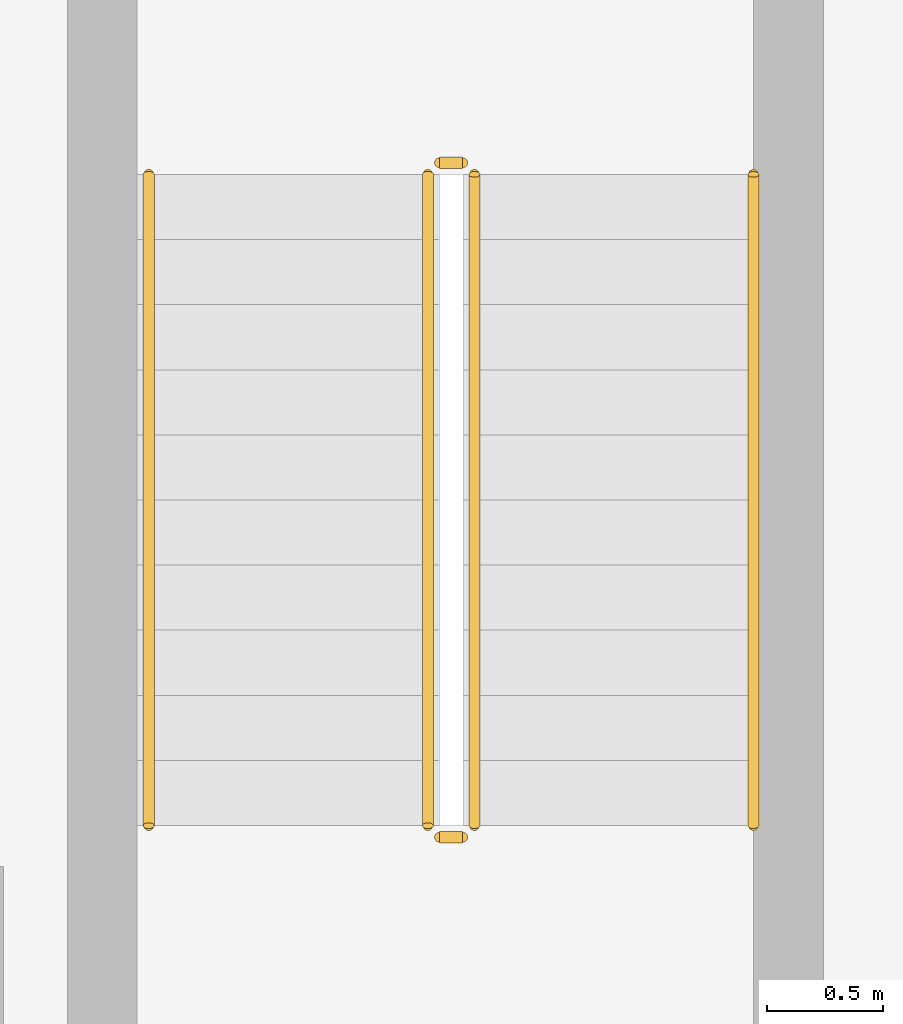
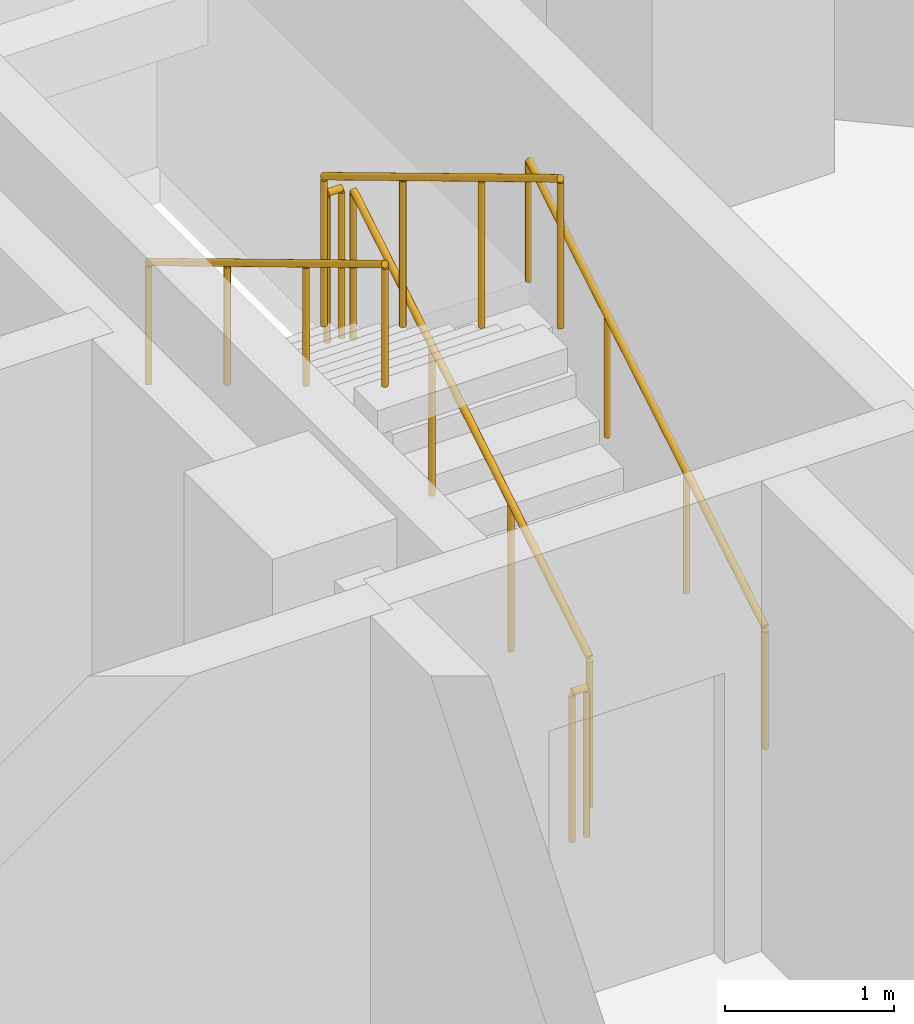
# One storey, part 34 of 35: 6 railings.
"""IFC4 building model written with IfcOpenShell, lengths in metres."""

from ifc_helpers import new_model, si_unit, direction, frame, origin, origin_2d, place, context, subcontext, project, spatial, circle, extrude, material, type_object, element, save


model = new_model("IFC4")

# Units and contexts
model_context = context("Model", 3, precision=1e-05, world=origin(), true_north=direction((0.0, 1.0)))
body_context = subcontext(model_context, "Body", "Model", "MODEL_VIEW")
ifc_project = project(units=[si_unit("LENGTHUNIT", "METRE"), si_unit("AREAUNIT", "SQUARE_METRE"), si_unit("VOLUMEUNIT", "CUBIC_METRE"), si_unit("PLANEANGLEUNIT", "RADIAN"), si_unit("MASSUNIT", "GRAM", prefix="KILO")], contexts=[model_context])

# Site, building, storey
site_placement = place(None, origin())
site = spatial("IfcSite", under=ifc_project, at=site_placement, CompositionType="ELEMENT")
building_placement = place(site_placement, origin())
building = spatial("IfcBuilding", under=site, at=building_placement, Name="Ogive Portal Towers", CompositionType="ELEMENT")
storey_placement = place(building_placement, frame((0.0, 0.0, 90.800048828125)))
storey = spatial("IfcBuildingStorey", under=building, at=storey_placement, Name="L21", CompositionType="ELEMENT", Elevation=90.800048828125)

# Railings
ifc_material_1 = material(Name="Stainless steel balustrade", Category="steel")
railing_type_1 = type_object("IfcRailingType", Name="INT-GUARD", PredefinedType="GUARDRAIL", material=ifc_material_1)
railing_1_placement = place(storey_placement, frame((42.949951171875, 67.199951171875, 0.168212890625)))
element("IfcRailing", 1, at=railing_1_placement, inside=storey, type_object=railing_type_1, Name="L21 ST-A3 stair guard 1", PredefinedType="GUARDRAIL", context=body_context, shape_type="SweptSolid", body=[
    extrude(circle(Radius=0.02392578125, at=origin_2d()), frame((0.0, 0.0, 1.076171875), z_axis=(0.0, 0.857275202839, 0.514858452973), x_axis=(-1.0, 0.0, 0.0)), (0.0, 0.0, 1.0), 3.26611328125),
    extrude(circle(Radius=0.02099609375, at=origin_2d()), origin(), (0.0, 0.0, 1.0), 1.052001953125),
    extrude(circle(Radius=0.02099609375, at=origin_2d()), frame((0.0, 0.933349609375, 0.560546875)), (0.0, 0.0, 1.0), 1.052001953125),
    extrude(circle(Radius=0.02099609375, at=origin_2d()), frame((0.0, 1.86669921875, 1.12109375)), (0.0, 0.0, 1.0), 1.052001953125),
    extrude(circle(Radius=0.02099609375, at=origin_2d()), frame((0.0, 2.800048828125, 1.681640625)), (0.0, 0.0, 1.0), 1.052001953125),
])
railing_2_placement = place(storey_placement, frame((42.89990234375, 70.050048828125, 1.849853515625)))
element("IfcRailing", 2, at=railing_2_placement, inside=storey, type_object=railing_type_1, Name="L21 ST-A3 stair guard 2", PredefinedType="GUARDRAIL", context=body_context, shape_type="SweptSolid", body=[
    extrude(circle(Radius=0.02392578125, at=origin_2d()), frame((0.0, 0.0, 1.076171875), z_axis=(-1.0, 0.0, 0.0), x_axis=(0.0, -1.0, 0.0)), (0.0, 0.0, 1.0), 0.099853515625),
    extrude(circle(Radius=0.02099609375, at=origin_2d()), origin(), (0.0, 0.0, 1.0), 1.052001953125),
    extrude(circle(Radius=0.02099609375, at=origin_2d()), frame((-0.099853515625, 0.0, 0.0)), (0.0, 0.0, 1.0), 1.052001953125),
])
railing_3_placement = place(storey_placement, frame((42.75, 70.0, 2.01806640625)))
element("IfcRailing", 3, at=railing_3_placement, inside=storey, type_object=railing_type_1, Name="L21 ST-A3 stair guard 3", PredefinedType="GUARDRAIL", context=body_context, shape_type="SweptSolid", body=[
    extrude(circle(Radius=0.02392578125, at=origin_2d()), frame((0.0, 0.0, 1.076171875), z_axis=(0.0, -0.857242210791, 0.514913383045), x_axis=(1.0, 0.0, 0.0)), (0.0, 0.0, 1.0), 3.266357421875),
    extrude(circle(Radius=0.02099609375, at=origin_2d()), origin(), (0.0, 0.0, 1.0), 1.052001953125),
    extrude(circle(Radius=0.02099609375, at=origin_2d()), frame((0.0, -0.933349609375, 0.560546875)), (0.0, 0.0, 1.0), 1.052001953125),
    extrude(circle(Radius=0.02099609375, at=origin_2d()), frame((0.0, -1.86669921875, 1.121337890625)), (0.0, 0.0, 1.0), 1.052001953125),
    extrude(circle(Radius=0.02099609375, at=origin_2d()), frame((0.0, -2.800048828125, 1.681884765625)), (0.0, 0.0, 1.0), 1.052001953125),
])
railing_4_placement = place(storey_placement, frame((42.89990234375, 67.14990234375, 0.0)))
element("IfcRailing", 4, at=railing_4_placement, inside=storey, type_object=railing_type_1, Name="L21 ST-A3 stair guard 4", PredefinedType="GUARDRAIL", context=body_context, shape_type="SweptSolid", body=[
    extrude(circle(Radius=0.02392578125, at=origin_2d()), frame((0.0, 0.0, 1.076171875), z_axis=(-1.0, 0.0, 0.0), x_axis=(0.0, -1.0, 0.0)), (0.0, 0.0, 1.0), 0.099853515625),
    extrude(circle(Radius=0.02099609375, at=origin_2d()), origin(), (0.0, 0.0, 1.0), 1.052001953125),
    extrude(circle(Radius=0.02099609375, at=origin_2d()), frame((-0.099853515625, 0.0, 0.0)), (0.0, 0.0, 1.0), 1.052001953125),
])
ifc_material_2 = material(Name="Stainless steel handrail", Category="steel")
railing_type_2 = type_object("IfcRailingType", Name="INT-HANDRAIL", PredefinedType="HANDRAIL", material=ifc_material_2)
railing_5_placement = place(storey_placement, frame((44.14990234375, 67.199951171875, 0.168212890625)))
element("IfcRailing", 5, at=railing_5_placement, inside=storey, type_object=railing_type_2, Name="L21 ST-A3 stair handrail 1", PredefinedType="HANDRAIL", context=body_context, shape_type="SweptSolid", body=[
    extrude(circle(Radius=0.02392578125, at=origin_2d()), frame((0.0, 0.0, 0.8759765625), z_axis=(0.0, 0.857275202839, 0.514858452973), x_axis=(-1.0, 0.0, 0.0)), (0.0, 0.0, 1.0), 3.26611328125),
    extrude(circle(Radius=0.02099609375, at=origin_2d()), origin(), (0.0, 0.0, 1.0), 0.851806640625),
    extrude(circle(Radius=0.02099609375, at=origin_2d()), frame((0.0, 0.933349609375, 0.560546875)), (0.0, 0.0, 1.0), 0.851806640625),
    extrude(circle(Radius=0.02099609375, at=origin_2d()), frame((0.0, 1.86669921875, 1.12109375)), (0.0, 0.0, 1.0), 0.851806640625),
    extrude(circle(Radius=0.02099609375, at=origin_2d()), frame((0.0, 2.800048828125, 1.681640625)), (0.0, 0.0, 1.0), 0.851806640625),
])
railing_6_placement = place(storey_placement, frame((41.550048828125, 70.0, 2.01806640625)))
element("IfcRailing", 6, at=railing_6_placement, inside=storey, type_object=railing_type_2, Name="L21 ST-A3 stair handrail 2", PredefinedType="HANDRAIL", context=body_context, shape_type="SweptSolid", body=[
    extrude(circle(Radius=0.02392578125, at=origin_2d()), frame((0.0, 0.0, 0.8759765625), z_axis=(0.0, -0.857242210791, 0.514913383045), x_axis=(1.0, 0.0, 0.0)), (0.0, 0.0, 1.0), 3.266357421875),
    extrude(circle(Radius=0.02099609375, at=origin_2d()), origin(), (0.0, 0.0, 1.0), 0.851806640625),
    extrude(circle(Radius=0.02099609375, at=origin_2d()), frame((0.0, -0.933349609375, 0.560546875)), (0.0, 0.0, 1.0), 0.851806640625),
    extrude(circle(Radius=0.02099609375, at=origin_2d()), frame((0.0, -1.86669921875, 1.121337890625)), (0.0, 0.0, 1.0), 0.851806640625),
    extrude(circle(Radius=0.02099609375, at=origin_2d()), frame((0.0, -2.800048828125, 1.681884765625)), (0.0, 0.0, 1.0), 0.851806640625),
])

save(model, "model.ifc")
